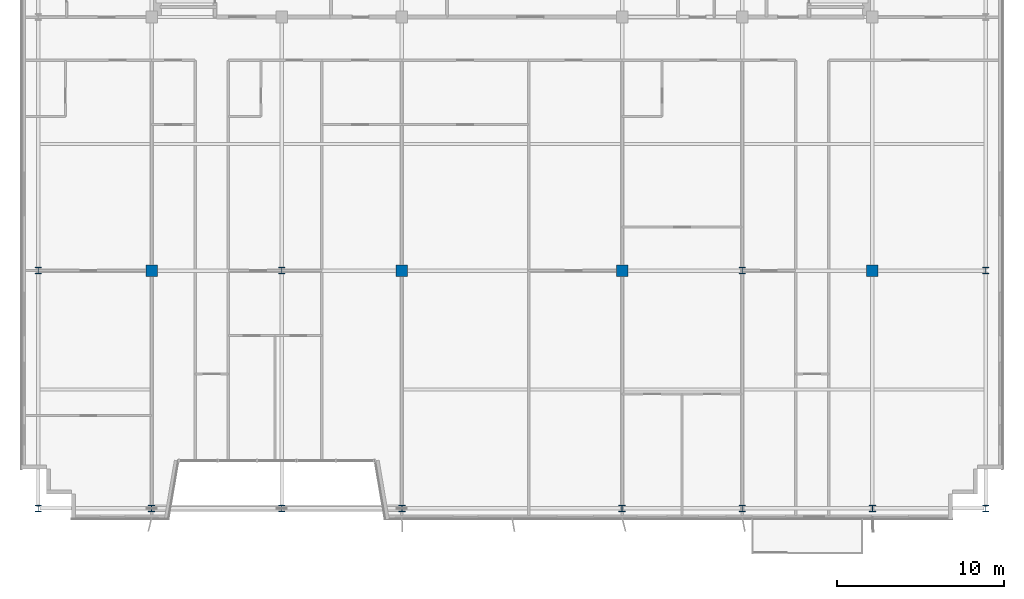
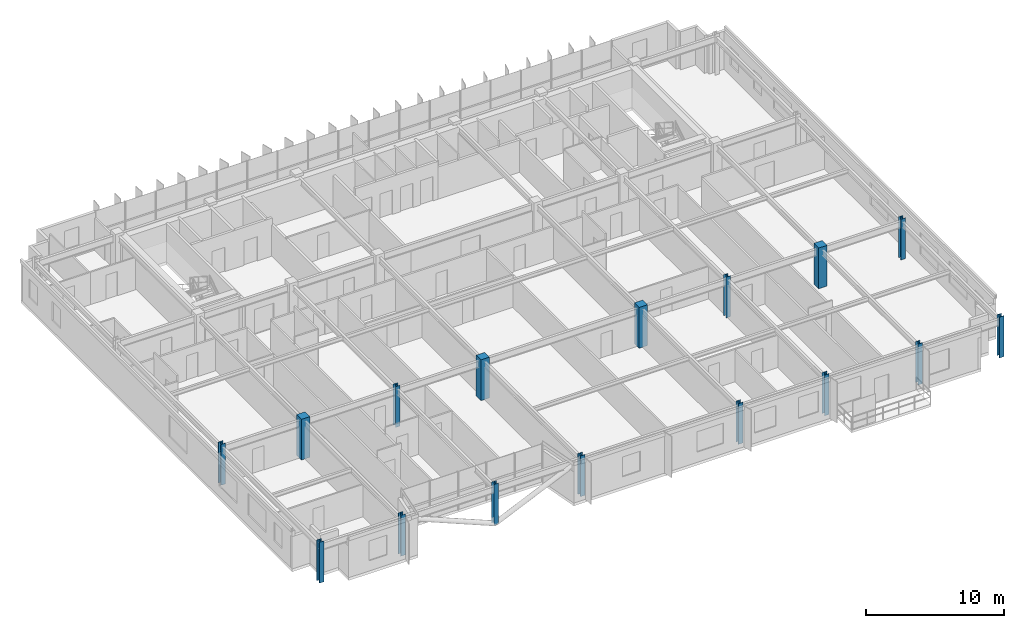
# One storey, part 1 of 24: 16 columns.
"""IFC4 building model written with IfcOpenShell, lengths in metres."""

from ifc_helpers import new_model, si_unit, direction, frame, origin, origin_2d, place, context, subcontext, project, spatial, rectangle, i_section, extrude, source, transform, mapped, material, material_profile, profile_set, type_object, element, save


model = new_model("IFC4")

# Units and contexts
model_context = context("Model", 3, precision=1e-05, world=origin(), true_north=direction((0.0, 1.0)))
body_context = subcontext(model_context, "Body", "Model", "MODEL_VIEW")
ifc_project = project(units=[si_unit("LENGTHUNIT", "METRE"), si_unit("AREAUNIT", "SQUARE_METRE"), si_unit("VOLUMEUNIT", "CUBIC_METRE"), si_unit("PLANEANGLEUNIT", "RADIAN"), si_unit("MASSUNIT", "GRAM", prefix="KILO")], contexts=[model_context])

# Site, building, storey
site_placement = place(None, origin())
site = spatial("IfcSite", under=ifc_project, at=site_placement, CompositionType="ELEMENT")
building_placement = place(site_placement, origin())
building = spatial("IfcBuilding", under=site, at=building_placement, Name="Trelvane Seafront Commons", CompositionType="ELEMENT")
storey_placement = place(building_placement, frame((0.0, 0.0, 175.300048828125)))
storey = spatial("IfcBuildingStorey", under=building, at=storey_placement, Name="L46", CompositionType="ELEMENT", Elevation=175.300048828125)

# Columns
ifc_material_1 = material(Name="Steel SM355 (S355)", Category="steel")
ifc_material_profile_1 = material_profile(ifc_material_1, i_section(OverallWidth=0.3798828125, OverallDepth=0.3798828125, WebThickness=0.02001953125, FlangeThickness=0.030029296875, at=origin_2d()), Name="HD-380x380x20x30")
ifc_profile_set_1 = profile_set([ifc_material_profile_1], Name="Steel SM355 (S355)")
column_type_1 = type_object("IfcColumnType", Name="STR-COL-HD380", PredefinedType="COLUMN", material=ifc_profile_set_1)
shared_shape_1 = source(origin(), body_context, "Body", "SweptSolid", [
    extrude(i_section(OverallWidth=0.3798828125, OverallDepth=0.3798828125, WebThickness=0.02001953125, FlangeThickness=0.030029296875, at=origin_2d()), origin(), (0.0, 0.0, 1.0), 3.599853515625),
])
for number, where, z_axis, x_axis, name in (
    (1, (8.800048828125, 3.949951171875, 0.0), (0.0, 0.0, 1.0), (1.0, 0.0, 0.0), "L46 Column TC-S8.8"),
    (2, (8.800048828125, 18.199951171875, 0.0), (0.0, 0.0, 1.0), (1.0, 0.0, 0.0), "L46 Column TC-M8.8"),
    (3, (15.60009765625, 3.949951171875, 0.0), (0.0, 0.0, 1.0), (1.0, 0.0, 0.0), "L46 Column TC-S15.6"),
    (4, (23.39990234375, 3.949951171875, 0.0), (0.0, 0.0, 1.0), (1.0, 0.0, 0.0), "L46 Column TC-S23.4"),
    (5, (23.39990234375, 18.199951171875, 0.0), (0.0, 0.0, 1.0), (1.0, 0.0, 0.0), "L46 Column TC-M23.4"),
    (6, (30.60009765625, 3.949951171875, 0.0), (0.0, 0.0, 1.0), (1.0, 0.0, 0.0), "L46 Column TC-S30.6"),
    (7, (43.800048828125, 3.949951171875, 0.0), (0.0, 0.0, 1.0), (1.0, 0.0, 0.0), "L46 Column TC-S43.8"),
    (8, (51.0, 3.949951171875, 0.0), (0.0, 0.0, 1.0), (1.0, 0.0, 0.0), "L46 Column TC-S51.0"),
    (9, (51.0, 18.199951171875, 0.0), (0.0, 0.0, 1.0), (1.0, 0.0, 0.0), "L46 Column TC-M51.0"),
    (10, (58.800048828125, 3.949951171875, 0.0), (0.0, 0.0, 1.0), (1.0, 0.0, 0.0), "L46 Column TC-S58.8"),
    (11, (65.60009765625, 3.949951171875, 0.0), (0.0, 0.0, 1.0), (1.0, 0.0, 0.0), "L46 Column TC-S65.6"),
    (12, (65.60009765625, 18.199951171875, 0.0), (0.0, 0.0, 1.0), (1.0, 0.0, 0.0), "L46 Column TC-M65.6"),
):
    element("IfcColumn", number, at=place(storey_placement, frame(where, z_axis=z_axis, x_axis=x_axis)), inside=storey, type_object=column_type_1, Name=name, PredefinedType="COLUMN", context=body_context, shape_type="MappedRepresentation", body=[
        mapped(shared_shape_1, transform((0.0, 0.0, 0.0), x_axis=(1.0, 0.0, 0.0), y_axis=(0.0, 1.0, 0.0), z_axis=(0.0, 0.0, 1.0), scale=1.0)),
    ])
ifc_material_2 = material(Name="Concrete C50/60", Category="concrete")
ifc_material_profile_2 = material_profile(ifc_material_2, rectangle(XDim=0.699951171875, YDim=0.699951171875, at=origin_2d()), Name="RC-700x700")
ifc_profile_set_2 = profile_set([ifc_material_profile_2], Name="Concrete C50/60")
column_type_2 = type_object("IfcColumnType", Name="STR-COL-RC700", PredefinedType="COLUMN", material=ifc_profile_set_2)
shared_shape_2 = source(origin(), body_context, "Body", "SweptSolid", [
    extrude(rectangle(XDim=0.699951171875, YDim=0.699951171875, at=origin_2d()), origin(), (0.0, 0.0, 1.0), 3.599853515625),
])
for number, where, z_axis, x_axis, name in (
    (13, (15.60009765625, 18.199951171875, 0.0), (0.0, 0.0, 1.0), (1.0, 0.0, 0.0), "L46 Column TC-M15.6"),
    (14, (30.60009765625, 18.199951171875, 0.0), (0.0, 0.0, 1.0), (1.0, 0.0, 0.0), "L46 Column TC-M30.6"),
    (15, (43.800048828125, 18.199951171875, 0.0), (0.0, 0.0, 1.0), (1.0, 0.0, 0.0), "L46 Column TC-M43.8"),
    (16, (58.800048828125, 18.199951171875, 0.0), (0.0, 0.0, 1.0), (1.0, 0.0, 0.0), "L46 Column TC-M58.8"),
):
    element("IfcColumn", number, at=place(storey_placement, frame(where, z_axis=z_axis, x_axis=x_axis)), inside=storey, type_object=column_type_2, Name=name, PredefinedType="COLUMN", context=body_context, shape_type="MappedRepresentation", body=[
        mapped(shared_shape_2, transform((0.0, 0.0, 0.0), x_axis=(1.0, 0.0, 0.0), y_axis=(0.0, 1.0, 0.0), z_axis=(0.0, 0.0, 1.0), scale=1.0)),
    ])

save(model, "model.ifc")
